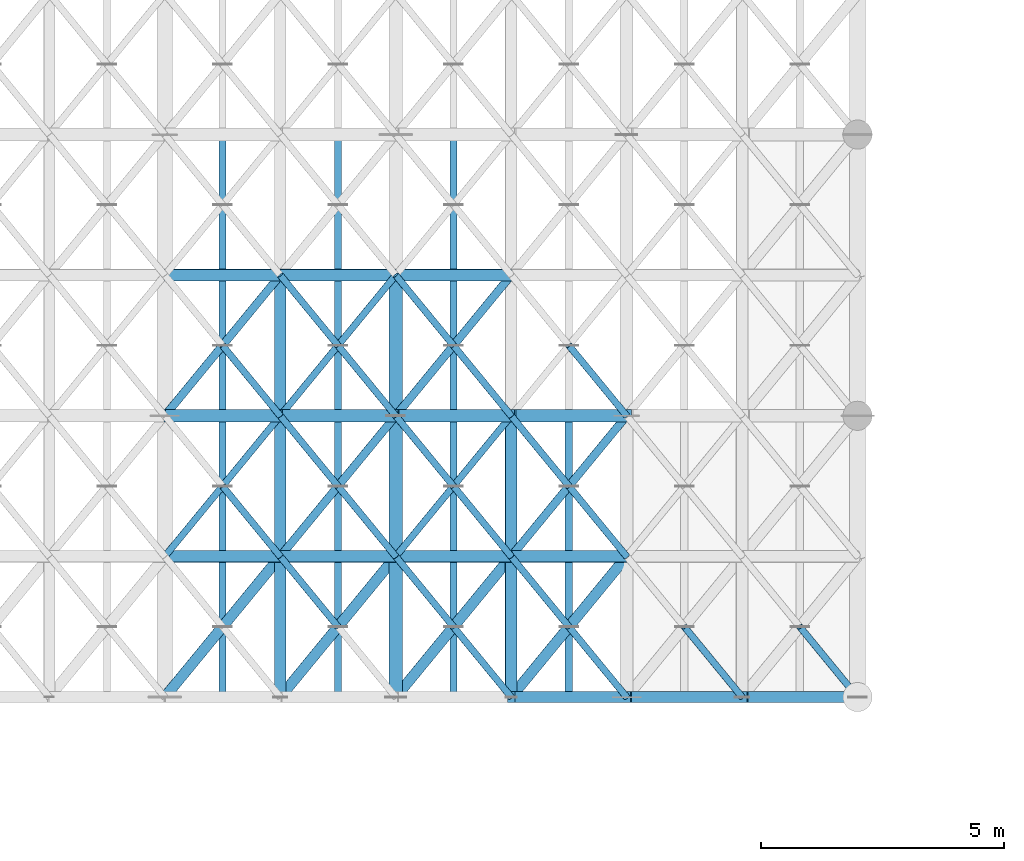
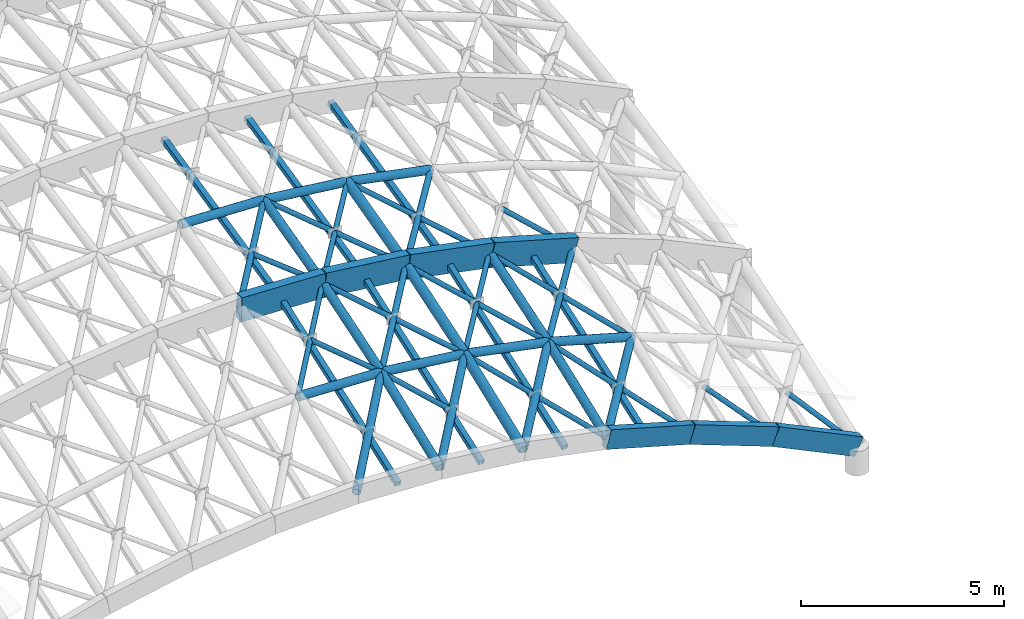
# One storey, part 36 of 146: 53 members, 7 beams.
"""IFC4 building model written with IfcOpenShell, lengths in metres."""

from ifc_helpers import new_model, si_unit, direction, frame, origin, origin_2d, place, context, subcontext, project, spatial, rectangle, hollow_rectangle, hollow_circle, extrude, material, material_profile, profile_set, type_object, element, save


model = new_model("IFC4")

# Units and contexts
model_context = context("Model", 3, precision=1e-05, world=origin(), true_north=direction((0.0, 1.0)))
body_context = subcontext(model_context, "Body", "Model", "MODEL_VIEW")
ifc_project = project(units=[si_unit("LENGTHUNIT", "METRE"), si_unit("AREAUNIT", "SQUARE_METRE"), si_unit("VOLUMEUNIT", "CUBIC_METRE"), si_unit("PLANEANGLEUNIT", "RADIAN"), si_unit("MASSUNIT", "GRAM", prefix="KILO")], contexts=[model_context])

# Site, building, storey
site_placement = place(None, origin())
site = spatial("IfcSite", under=ifc_project, at=site_placement, CompositionType="ELEMENT")
building_placement = place(site_placement, origin())
building = spatial("IfcBuilding", under=site, at=building_placement, Name="Valcora Specialist Clinic", CompositionType="ELEMENT")
storey_placement = place(building_placement, frame((0.0, 0.0, 9.52001953125)))
storey = spatial("IfcBuildingStorey", under=building, at=storey_placement, Name="L02", CompositionType="ELEMENT", Elevation=9.52001953125)

# Beams
ifc_material_1 = material(Name="Glulam Conifer Class 24F", Category="wood")
ifc_material_profile_1 = material_profile(ifc_material_1, rectangle(XDim=0.219970703125, YDim=0.56005859375, at=origin_2d()), Name="GL-ARC-220X560")
ifc_profile_set_1 = profile_set([ifc_material_profile_1], Name="Glulam Conifer Class 24F")
beam_type_1 = type_object("IfcBeamType", Name="TY-AR-GL560", PredefinedType="JOIST", material=ifc_profile_set_1)
beam_1_placement = place(storey_placement, frame((22.125, 38.75, 3.44580078125), z_axis=(0.961613421173, 0.0, -0.274407777259), x_axis=(0.0, 1.0, 0.0)))
element("IfcBeam", 1, at=beam_1_placement, inside=storey, type_object=beam_type_1, Name="Gridshell glulam arch chord BM-GSA-010", PredefinedType="JOIST", context=body_context, shape_type="SweptSolid", body=[
    extrude(rectangle(XDim=0.219970703125, YDim=0.56005859375, at=origin_2d()), origin(), (0.0, 0.0, 1.0), 2.4697265625),
])
beam_2_placement = place(storey_placement, frame((24.5, 38.75, 2.76806640625), z_axis=(0.935695204238, 0.0, -0.352809417059), x_axis=(0.0, 1.0, 0.0)))
element("IfcBeam", 2, at=beam_2_placement, inside=storey, type_object=beam_type_1, Name="Gridshell glulam arch chord BM-GSA-011", PredefinedType="JOIST", context=body_context, shape_type="SweptSolid", body=[
    extrude(rectangle(XDim=0.219970703125, YDim=0.56005859375, at=origin_2d()), origin(), (0.0, 0.0, 1.0), 2.538330078125),
])
beam_3_placement = place(storey_placement, frame((26.875, 38.75, 1.87255859375), z_axis=(0.902189145818, 0.0, -0.431340637048), x_axis=(0.0, 1.0, 0.0)))
element("IfcBeam", 3, at=beam_3_placement, inside=storey, type_object=beam_type_1, Name="Gridshell glulam arch chord BM-GSA-012", PredefinedType="JOIST", context=body_context, shape_type="SweptSolid", body=[
    extrude(rectangle(XDim=0.219970703125, YDim=0.56005859375, at=origin_2d()), origin(), (0.0, 0.0, 1.0), 2.632568359375),
])
ifc_material_profile_2 = material_profile(ifc_material_1, rectangle(XDim=0.260009765625, YDim=0.719970703125, at=origin_2d()), Name="GL-ARC-260X720")
ifc_profile_set_2 = profile_set([ifc_material_profile_2], Name="Glulam Conifer Class 24F")
beam_type_2 = type_object("IfcBeamType", Name="TY-AR-GL720", PredefinedType="JOIST", material=ifc_profile_set_2)
beam_4_placement = place(storey_placement, frame((15.0, 44.535888671875, 6.347900390625), z_axis=(0.999229898969, 0.0, -0.039237851707), x_axis=(0.0, 1.0, 0.0)))
element("IfcBeam", 4, at=beam_4_placement, inside=storey, type_object=beam_type_2, Name="Gridshell glulam arch chord BM-GSA-019", PredefinedType="JOIST", context=body_context, shape_type="SweptSolid", body=[
    extrude(rectangle(XDim=0.260009765625, YDim=0.719970703125, at=origin_2d()), origin(), (0.0, 0.0, 1.0), 2.376708984375),
])
beam_5_placement = place(storey_placement, frame((17.375, 44.535888671875, 6.254638671875), z_axis=(0.993061123194, 0.0, -0.117599343536), x_axis=(0.0, 1.0, 0.0)))
element("IfcBeam", 5, at=beam_5_placement, inside=storey, type_object=beam_type_2, Name="Gridshell glulam arch chord BM-GSA-020", PredefinedType="JOIST", context=body_context, shape_type="SweptSolid", body=[
    extrude(rectangle(XDim=0.260009765625, YDim=0.719970703125, at=origin_2d()), origin(), (0.0, 0.0, 1.0), 2.3916015625),
])
beam_6_placement = place(storey_placement, frame((19.75, 44.535888671875, 5.973388671875), z_axis=(0.980611679738, 0.0, -0.195961051132), x_axis=(0.0, 1.0, 0.0)))
element("IfcBeam", 6, at=beam_6_placement, inside=storey, type_object=beam_type_2, Name="Gridshell glulam arch chord BM-GSA-021", PredefinedType="JOIST", context=body_context, shape_type="SweptSolid", body=[
    extrude(rectangle(XDim=0.260009765625, YDim=0.719970703125, at=origin_2d()), origin(), (0.0, 0.0, 1.0), 2.421875),
])
beam_7_placement = place(storey_placement, frame((22.125, 44.535888671875, 5.498779296875), z_axis=(0.961613421173, 0.0, -0.274407777259), x_axis=(0.0, 1.0, 0.0)))
element("IfcBeam", 7, at=beam_7_placement, inside=storey, type_object=beam_type_2, Name="Gridshell glulam arch chord BM-GSA-022", PredefinedType="JOIST", context=body_context, shape_type="SweptSolid", body=[
    extrude(rectangle(XDim=0.260009765625, YDim=0.719970703125, at=origin_2d()), origin(), (0.0, 0.0, 1.0), 2.4697265625),
])

# Members
ifc_material_2 = material(Name="Steel ASTM A500 Grade C", Category="steel")
ifc_material_profile_3 = material_profile(ifc_material_2, hollow_circle(Radius=0.1220703125, WallThickness=0.010009765625, at=origin_2d()), Name="ST-CHS-244X10")
ifc_profile_set_3 = profile_set([ifc_material_profile_3], Name="Steel ASTM A500 Grade C")
member_type_1 = type_object("IfcMemberType", Name="TY-MB-GSC244", PredefinedType="CHORD", material=ifc_profile_set_3)
member_1_placement = place(storey_placement, frame((17.375, 38.75, 4.201904296875), z_axis=(0.0, 0.93227902247, 0.361739995386), x_axis=(-1.0, 0.0, 0.0)))
element("IfcMember", 8, at=member_1_placement, inside=storey, type_object=member_type_1, Name="Gridshell longitudinal chord MB-L02-0099", PredefinedType="CHORD", context=body_context, shape_type="SweptSolid", body=[
    extrude(hollow_circle(Radius=0.1220703125, WallThickness=0.010009765625, at=origin_2d()), origin(), (0.0, 0.0, 1.0), 3.103271484375),
])
member_2_placement = place(storey_placement, frame((17.375, 41.64306640625, 5.324462890625), z_axis=(0.0, 0.95199595387, 0.30611060716), x_axis=(-1.0, 0.0, 0.0)))
element("IfcMember", 9, at=member_2_placement, inside=storey, type_object=member_type_1, Name="Gridshell longitudinal chord MB-L02-0100", PredefinedType="CHORD", context=body_context, shape_type="SweptSolid", body=[
    extrude(hollow_circle(Radius=0.1220703125, WallThickness=0.010009765625, at=origin_2d()), origin(), (0.0, 0.0, 1.0), 3.03857421875),
])
member_3_placement = place(storey_placement, frame((17.375, 44.535888671875, 6.254638671875), z_axis=(0.0, 0.968120272933, 0.250485802263), x_axis=(-1.0, 0.0, 0.0)))
element("IfcMember", 10, at=member_3_placement, inside=storey, type_object=member_type_1, Name="Gridshell longitudinal chord MB-L02-0101", PredefinedType="CHORD", context=body_context, shape_type="SweptSolid", body=[
    extrude(hollow_circle(Radius=0.1220703125, WallThickness=0.010009765625, at=origin_2d()), origin(), (0.0, 0.0, 1.0), 2.98828125),
])
member_4_placement = place(storey_placement, frame((22.125, 38.75, 3.44580078125), z_axis=(0.0, 0.93227902247, 0.361739995386), x_axis=(-1.0, 0.0, 0.0)))
element("IfcMember", 11, at=member_4_placement, inside=storey, type_object=member_type_1, Name="Gridshell longitudinal chord MB-L02-0127", PredefinedType="CHORD", context=body_context, shape_type="SweptSolid", body=[
    extrude(hollow_circle(Radius=0.1220703125, WallThickness=0.010009765625, at=origin_2d()), origin(), (0.0, 0.0, 1.0), 3.103271484375),
])
member_5_placement = place(storey_placement, frame((22.125, 41.64306640625, 4.568359375), z_axis=(0.0, 0.951972538131, 0.306183419936), x_axis=(-1.0, 0.0, 0.0)))
element("IfcMember", 12, at=member_5_placement, inside=storey, type_object=member_type_1, Name="Gridshell longitudinal chord MB-L02-0128", PredefinedType="CHORD", context=body_context, shape_type="SweptSolid", body=[
    extrude(hollow_circle(Radius=0.1220703125, WallThickness=0.010009765625, at=origin_2d()), origin(), (0.0, 0.0, 1.0), 3.038818359375),
])
member_6_placement = place(storey_placement, frame((15.0, 41.64306640625, 5.417724609375), z_axis=(0.999229898969, 0.0, -0.039237851707), x_axis=(0.0, 1.0, 0.0)))
element("IfcMember", 13, at=member_6_placement, inside=storey, type_object=member_type_1, Name="Gridshell secondary transverse chord MB-L02-0273", PredefinedType="CHORD", context=body_context, shape_type="SweptSolid", body=[
    extrude(hollow_circle(Radius=0.1220703125, WallThickness=0.010009765625, at=origin_2d()), origin(), (0.0, 0.0, 1.0), 2.376708984375),
])
member_7_placement = place(storey_placement, frame((17.375, 41.64306640625, 5.324462890625), z_axis=(0.993061123194, 0.0, -0.117599343536), x_axis=(0.0, 1.0, 0.0)))
element("IfcMember", 14, at=member_7_placement, inside=storey, type_object=member_type_1, Name="Gridshell secondary transverse chord MB-L02-0274", PredefinedType="CHORD", context=body_context, shape_type="SweptSolid", body=[
    extrude(hollow_circle(Radius=0.1220703125, WallThickness=0.010009765625, at=origin_2d()), origin(), (0.0, 0.0, 1.0), 2.3916015625),
])
member_8_placement = place(storey_placement, frame((19.75, 41.64306640625, 5.043212890625), z_axis=(0.980592304853, 0.0, -0.19605798036), x_axis=(0.0, 1.0, 0.0)))
element("IfcMember", 15, at=member_8_placement, inside=storey, type_object=member_type_1, Name="Gridshell secondary transverse chord MB-L02-0275", PredefinedType="CHORD", context=body_context, shape_type="SweptSolid", body=[
    extrude(hollow_circle(Radius=0.1220703125, WallThickness=0.010009765625, at=origin_2d()), origin(), (0.0, 0.0, 1.0), 2.422119140625),
])
member_9_placement = place(storey_placement, frame((22.125, 41.64306640625, 4.568359375), z_axis=(0.961613421173, 0.0, -0.274407777259), x_axis=(0.0, 1.0, 0.0)))
element("IfcMember", 16, at=member_9_placement, inside=storey, type_object=member_type_1, Name="Gridshell secondary transverse chord MB-L02-0276", PredefinedType="CHORD", context=body_context, shape_type="SweptSolid", body=[
    extrude(hollow_circle(Radius=0.1220703125, WallThickness=0.010009765625, at=origin_2d()), origin(), (0.0, 0.0, 1.0), 2.4697265625),
])
member_10_placement = place(storey_placement, frame((15.0, 47.428955078125, 7.09619140625), z_axis=(0.999233921008, 0.0, -0.039135292342), x_axis=(0.0, 1.0, 0.0)))
element("IfcMember", 17, at=member_10_placement, inside=storey, type_object=member_type_1, Name="Gridshell secondary transverse chord MB-L02-0285", PredefinedType="CHORD", context=body_context, shape_type="SweptSolid", body=[
    extrude(hollow_circle(Radius=0.1220703125, WallThickness=0.010009765625, at=origin_2d()), origin(), (0.0, 0.0, 1.0), 2.376708984375),
])
member_11_placement = place(storey_placement, frame((17.375, 47.428955078125, 7.003173828125), z_axis=(0.993049196669, 0.0, -0.117700012722), x_axis=(0.0, 1.0, 0.0)))
element("IfcMember", 18, at=member_11_placement, inside=storey, type_object=member_type_1, Name="Gridshell secondary transverse chord MB-L02-0286", PredefinedType="CHORD", context=body_context, shape_type="SweptSolid", body=[
    extrude(hollow_circle(Radius=0.1220703125, WallThickness=0.010009765625, at=origin_2d()), origin(), (0.0, 0.0, 1.0), 2.3916015625),
])
member_12_placement = place(storey_placement, frame((19.75, 47.428955078125, 6.7216796875), z_axis=(0.980611679738, 0.0, -0.195961051132), x_axis=(0.0, 1.0, 0.0)))
element("IfcMember", 19, at=member_12_placement, inside=storey, type_object=member_type_1, Name="Gridshell secondary transverse chord MB-L02-0287", PredefinedType="CHORD", context=body_context, shape_type="SweptSolid", body=[
    extrude(hollow_circle(Radius=0.1220703125, WallThickness=0.010009765625, at=origin_2d()), origin(), (0.0, 0.0, 1.0), 2.421875),
])
ifc_material_profile_4 = material_profile(ifc_material_2, hollow_circle(Radius=0.136474609375, WallThickness=0.011962890625, at=origin_2d()), Name="ST-CHS-273X12")
ifc_profile_set_4 = profile_set([ifc_material_profile_4], Name="Steel ASTM A500 Grade C")
member_type_2 = type_object("IfcMemberType", Name="TY-MB-GSC273", PredefinedType="CHORD", material=ifc_profile_set_4)
member_13_placement = place(storey_placement, frame((19.75, 38.75, 3.920654296875), z_axis=(0.0, 0.93227902247, 0.361739995386), x_axis=(-1.0, 0.0, 0.0)))
element("IfcMember", 20, at=member_13_placement, inside=storey, type_object=member_type_2, Name="Gridshell longitudinal chord MB-L02-0113", PredefinedType="CHORD", context=body_context, shape_type="SweptSolid", body=[
    extrude(hollow_circle(Radius=0.136474609375, WallThickness=0.011962890625, at=origin_2d()), origin(), (0.0, 0.0, 1.0), 3.103271484375),
])
member_14_placement = place(storey_placement, frame((19.75, 41.64306640625, 5.043212890625), z_axis=(0.0, 0.95199595387, 0.30611060716), x_axis=(-1.0, 0.0, 0.0)))
element("IfcMember", 21, at=member_14_placement, inside=storey, type_object=member_type_2, Name="Gridshell longitudinal chord MB-L02-0114", PredefinedType="CHORD", context=body_context, shape_type="SweptSolid", body=[
    extrude(hollow_circle(Radius=0.136474609375, WallThickness=0.011962890625, at=origin_2d()), origin(), (0.0, 0.0, 1.0), 3.03857421875),
])
member_15_placement = place(storey_placement, frame((19.75, 44.535888671875, 5.973388671875), z_axis=(0.0, 0.968140082086, 0.250409227983), x_axis=(-1.0, 0.0, 0.0)))
element("IfcMember", 22, at=member_15_placement, inside=storey, type_object=member_type_2, Name="Gridshell longitudinal chord MB-L02-0115", PredefinedType="CHORD", context=body_context, shape_type="SweptSolid", body=[
    extrude(hollow_circle(Radius=0.136474609375, WallThickness=0.011962890625, at=origin_2d()), origin(), (0.0, 0.0, 1.0), 2.98828125),
])
ifc_material_profile_5 = material_profile(ifc_material_2, hollow_circle(Radius=0.070068359375, WallThickness=0.006103515625, at=origin_2d()), Name="ST-CHS-140X6")
ifc_profile_set_5 = profile_set([ifc_material_profile_5], Name="Steel ASTM A500 Grade C")
member_type_3 = type_object("IfcMemberType", Name="TY-MB-GSD140", PredefinedType="BRACE", material=ifc_profile_set_5)
member_16_placement = place(storey_placement, frame((15.0, 41.64306640625, 5.417724609375), z_axis=(0.619248680126, 0.754263734664, 0.218213864666), x_axis=(-0.772889622479, 0.634540488436, 0.0)))
element("IfcMember", 23, at=member_16_placement, inside=storey, type_object=member_type_3, Name="Gridshell primary diagrid MB-L02-0521", PredefinedType="BRACE", context=body_context, shape_type="SweptSolid", body=[
    extrude(hollow_circle(Radius=0.070068359375, WallThickness=0.006103515625, at=origin_2d()), origin(), (0.0, 0.0, 1.0), 3.835205078125),
])
member_17_placement = place(storey_placement, frame((17.375, 41.64306640625, 5.324462890625), z_axis=(-0.612042613982, 0.745549442402, 0.263742047472), x_axis=(-0.772915884105, -0.634508499626, 0.0)))
element("IfcMember", 24, at=member_17_placement, inside=storey, type_object=member_type_3, Name="Gridshell split counter diagrid A MB-L02-0522", PredefinedType="BRACE", context=body_context, shape_type="SweptSolid", body=[
    extrude(hollow_circle(Radius=0.070068359375, WallThickness=0.006103515625, at=origin_2d()), origin(), (0.0, 0.0, 1.0), 1.940185546875),
])
member_18_placement = place(storey_placement, frame((17.375, 44.535888671875, 6.254638671875), z_axis=(-0.619046507827, 0.75408111819, 0.219415332955), x_axis=(-0.772915884105, -0.634508499626, 0.0)))
element("IfcMember", 25, at=member_18_placement, inside=storey, type_object=member_type_3, Name="Gridshell split counter diagrid A MB-L02-0524", PredefinedType="BRACE", context=body_context, shape_type="SweptSolid", body=[
    extrude(hollow_circle(Radius=0.070068359375, WallThickness=0.006103515625, at=origin_2d()), origin(), (0.0, 0.0, 1.0), 1.918212890625),
])
member_19_placement = place(storey_placement, frame((19.75, 41.64306640625, 5.043212890625), z_axis=(-0.603678965081, 0.735361403805, 0.307920952378), x_axis=(-0.772915884105, -0.634508499626, 0.0)))
element("IfcMember", 26, at=member_19_placement, inside=storey, type_object=member_type_3, Name="Gridshell split counter diagrid A MB-L02-0550", PredefinedType="BRACE", context=body_context, shape_type="SweptSolid", body=[
    extrude(hollow_circle(Radius=0.070068359375, WallThickness=0.006103515625, at=origin_2d()), origin(), (0.0, 0.0, 1.0), 1.967041015625),
])
member_20_placement = place(storey_placement, frame((17.375, 44.535888671875, 6.254638671875), z_axis=(0.629626138809, 0.766968518183, 0.123815255298), x_axis=(-0.772915884105, 0.634508499626, 0.0)))
element("IfcMember", 27, at=member_20_placement, inside=storey, type_object=member_type_3, Name="Gridshell primary diagrid MB-L02-0551", PredefinedType="BRACE", context=body_context, shape_type="SweptSolid", body=[
    extrude(hollow_circle(Radius=0.070068359375, WallThickness=0.006103515625, at=origin_2d()), origin(), (0.0, 0.0, 1.0), 3.77197265625),
])
member_21_placement = place(storey_placement, frame((19.75, 44.535888671875, 5.973388671875), z_axis=(-0.611777913095, 0.745227001457, 0.265263079506), x_axis=(-0.772915884105, -0.634508499626, 0.0)))
element("IfcMember", 28, at=member_21_placement, inside=storey, type_object=member_type_3, Name="Gridshell split counter diagrid A MB-L02-0552", PredefinedType="BRACE", context=body_context, shape_type="SweptSolid", body=[
    extrude(hollow_circle(Radius=0.070068359375, WallThickness=0.006103515625, at=origin_2d()), origin(), (0.0, 0.0, 1.0), 1.941162109375),
])
member_22_placement = place(storey_placement, frame((22.125, 38.75, 3.44580078125), z_axis=(-0.583599675134, 0.710902153611, 0.392465982188), x_axis=(-0.772915884105, -0.634508499626, 0.0)))
element("IfcMember", 29, at=member_22_placement, inside=storey, type_object=member_type_3, Name="Gridshell split counter diagrid A MB-L02-0576", PredefinedType="BRACE", context=body_context, shape_type="SweptSolid", body=[
    extrude(hollow_circle(Radius=0.070068359375, WallThickness=0.006103515625, at=origin_2d()), origin(), (0.0, 0.0, 1.0), 2.03466796875),
])
member_23_placement = place(storey_placement, frame((19.75, 41.64306640625, 5.043212890625), z_axis=(0.629891792334, 0.767227369178, 0.120824227436), x_axis=(-0.772889622479, 0.634540488436, 0.0)))
element("IfcMember", 30, at=member_23_placement, inside=storey, type_object=member_type_3, Name="Gridshell primary diagrid MB-L02-0577", PredefinedType="BRACE", context=body_context, shape_type="SweptSolid", body=[
    extrude(hollow_circle(Radius=0.070068359375, WallThickness=0.006103515625, at=origin_2d()), origin(), (0.0, 0.0, 1.0), 3.7705078125),
])
member_24_placement = place(storey_placement, frame((22.125, 41.64306640625, 4.568359375), z_axis=(-0.594023840073, 0.723600175253, 0.351480388925), x_axis=(-0.772915884105, -0.634508499626, 0.0)))
element("IfcMember", 31, at=member_24_placement, inside=storey, type_object=member_type_3, Name="Gridshell split counter diagrid A MB-L02-0578", PredefinedType="BRACE", context=body_context, shape_type="SweptSolid", body=[
    extrude(hollow_circle(Radius=0.070068359375, WallThickness=0.006103515625, at=origin_2d()), origin(), (0.0, 0.0, 1.0), 1.9990234375),
])
member_25_placement = place(storey_placement, frame((22.125, 44.535888671875, 5.498779296875), z_axis=(-0.603123362015, 0.734684605251, 0.310613491334), x_axis=(-0.772915884105, -0.634508499626, 0.0)))
element("IfcMember", 32, at=member_25_placement, inside=storey, type_object=member_type_3, Name="Gridshell split counter diagrid A MB-L02-0580", PredefinedType="BRACE", context=body_context, shape_type="SweptSolid", body=[
    extrude(hollow_circle(Radius=0.070068359375, WallThickness=0.006103515625, at=origin_2d()), origin(), (0.0, 0.0, 1.0), 1.968994140625),
])
member_26_placement = place(storey_placement, frame((24.5, 38.75, 2.76806640625), z_axis=(-0.571807725967, 0.696537988559, 0.433440601488), x_axis=(-0.772915884105, -0.634508499626, 0.0)))
element("IfcMember", 33, at=member_26_placement, inside=storey, type_object=member_type_3, Name="Gridshell split counter diagrid A MB-L02-0604", PredefinedType="BRACE", context=body_context, shape_type="SweptSolid", body=[
    extrude(hollow_circle(Radius=0.070068359375, WallThickness=0.006103515625, at=origin_2d()), origin(), (0.0, 0.0, 1.0), 2.07666015625),
])
member_27_placement = place(storey_placement, frame((24.5, 41.64306640625, 3.890625), z_axis=(-0.582993995805, 0.710164355498, 0.394695565005), x_axis=(-0.772915884105, -0.634508499626, 0.0)))
element("IfcMember", 34, at=member_27_placement, inside=storey, type_object=member_type_3, Name="Gridshell split counter diagrid A MB-L02-0606", PredefinedType="BRACE", context=body_context, shape_type="SweptSolid", body=[
    extrude(hollow_circle(Radius=0.070068359375, WallThickness=0.006103515625, at=origin_2d()), origin(), (0.0, 0.0, 1.0), 2.036865234375),
])
member_28_placement = place(storey_placement, frame((24.5, 44.535888671875, 4.821044921875), z_axis=(-0.592948016791, 0.722289679171, 0.355963858764), x_axis=(-0.772915884105, -0.634508499626, 0.0)))
element("IfcMember", 35, at=member_28_placement, inside=storey, type_object=member_type_3, Name="Gridshell split counter diagrid A MB-L02-0608", PredefinedType="BRACE", context=body_context, shape_type="SweptSolid", body=[
    extrude(hollow_circle(Radius=0.070068359375, WallThickness=0.006103515625, at=origin_2d()), origin(), (0.0, 0.0, 1.0), 2.002685546875),
])
member_29_placement = place(storey_placement, frame((26.875, 38.75, 1.87255859375), z_axis=(-0.558505905222, 0.680334598775, 0.474569265272), x_axis=(-0.772915884105, -0.634508499626, 0.0)))
element("IfcMember", 36, at=member_29_placement, inside=storey, type_object=member_type_3, Name="Gridshell split counter diagrid A MB-L02-0632", PredefinedType="BRACE", context=body_context, shape_type="SweptSolid", body=[
    extrude(hollow_circle(Radius=0.070068359375, WallThickness=0.006103515625, at=origin_2d()), origin(), (0.0, 0.0, 1.0), 2.126220703125),
])
member_30_placement = place(storey_placement, frame((29.25, 38.75, 0.737060546875), z_axis=(-0.543286539611, 0.66179538388, 0.516591333409), x_axis=(-0.772915884105, -0.634508499626, 0.0)))
element("IfcMember", 37, at=member_30_placement, inside=storey, type_object=member_type_3, Name="Gridshell split counter diagrid A MB-L02-0660", PredefinedType="BRACE", context=body_context, shape_type="SweptSolid", body=[
    extrude(hollow_circle(Radius=0.070068359375, WallThickness=0.006103515625, at=origin_2d()), origin(), (0.0, 0.0, 1.0), 2.185791015625),
])
member_31_placement = place(storey_placement, frame((18.5625, 40.196533203125, 4.62255859375), z_axis=(-0.594100310582, 0.723693326521, 0.351159209071), x_axis=(-0.772915884105, -0.634508499626, 0.0)))
element("IfcMember", 38, at=member_31_placement, inside=storey, type_object=member_type_3, Name="Gridshell split counter diagrid B 99", PredefinedType="BRACE", context=body_context, shape_type="SweptSolid", body=[
    extrude(hollow_circle(Radius=0.070068359375, WallThickness=0.006103515625, at=origin_2d()), origin(), (0.0, 0.0, 1.0), 1.998779296875),
])
member_32_placement = place(storey_placement, frame((18.5625, 43.089599609375, 5.64892578125), z_axis=(-0.603734063883, 0.735304398529, 0.307949056845), x_axis=(-0.772863356881, -0.634572479384, 0.0)))
element("IfcMember", 39, at=member_32_placement, inside=storey, type_object=member_type_3, Name="Gridshell split counter diagrid B 100", PredefinedType="BRACE", context=body_context, shape_type="SweptSolid", body=[
    extrude(hollow_circle(Radius=0.070068359375, WallThickness=0.006103515625, at=origin_2d()), origin(), (0.0, 0.0, 1.0), 1.967041015625),
])
member_33_placement = place(storey_placement, frame((18.5625, 45.982421875, 6.48828125), z_axis=(-0.611777913095, 0.745227001457, 0.265263079506), x_axis=(-0.772915884105, -0.634508499626, 0.0)))
element("IfcMember", 40, at=member_33_placement, inside=storey, type_object=member_type_3, Name="Gridshell split counter diagrid B 101", PredefinedType="BRACE", context=body_context, shape_type="SweptSolid", body=[
    extrude(hollow_circle(Radius=0.070068359375, WallThickness=0.006103515625, at=origin_2d()), origin(), (0.0, 0.0, 1.0), 1.941162109375),
])
member_34_placement = place(storey_placement, frame((20.9375, 40.196533203125, 4.244384765625), z_axis=(-0.583572191494, 0.710868674878, 0.392567477502), x_axis=(-0.772915884105, -0.634508499626, 0.0)))
element("IfcMember", 41, at=member_34_placement, inside=storey, type_object=member_type_3, Name="Gridshell split counter diagrid B 113", PredefinedType="BRACE", context=body_context, shape_type="SweptSolid", body=[
    extrude(hollow_circle(Radius=0.070068359375, WallThickness=0.006103515625, at=origin_2d()), origin(), (0.0, 0.0, 1.0), 2.034912109375),
])
member_35_placement = place(storey_placement, frame((20.9375, 43.089599609375, 5.27099609375), z_axis=(-0.594101839496, 0.723573046294, 0.351404398073), x_axis=(-0.772863356881, -0.634572479384, 0.0)))
element("IfcMember", 42, at=member_35_placement, inside=storey, type_object=member_type_3, Name="Gridshell split counter diagrid B 114", PredefinedType="BRACE", context=body_context, shape_type="SweptSolid", body=[
    extrude(hollow_circle(Radius=0.070068359375, WallThickness=0.006103515625, at=origin_2d()), origin(), (0.0, 0.0, 1.0), 1.998779296875),
])
member_36_placement = place(storey_placement, frame((20.9375, 45.982421875, 6.1103515625), z_axis=(-0.603146588177, 0.73471289781, 0.310501450821), x_axis=(-0.772915884105, -0.634508499626, 0.0)))
element("IfcMember", 43, at=member_36_placement, inside=storey, type_object=member_type_3, Name="Gridshell split counter diagrid B 115", PredefinedType="BRACE", context=body_context, shape_type="SweptSolid", body=[
    extrude(hollow_circle(Radius=0.070068359375, WallThickness=0.006103515625, at=origin_2d()), origin(), (0.0, 0.0, 1.0), 1.96875),
])
member_37_placement = place(storey_placement, frame((23.3125, 40.196533203125, 3.668212890625), z_axis=(-0.571807725967, 0.696537988559, 0.433440601488), x_axis=(-0.772915884105, -0.634508499626, 0.0)))
element("IfcMember", 44, at=member_37_placement, inside=storey, type_object=member_type_3, Name="Gridshell split counter diagrid B 127", PredefinedType="BRACE", context=body_context, shape_type="SweptSolid", body=[
    extrude(hollow_circle(Radius=0.070068359375, WallThickness=0.006103515625, at=origin_2d()), origin(), (0.0, 0.0, 1.0), 2.07666015625),
])
member_38_placement = place(storey_placement, frame((23.3125, 43.089599609375, 4.694580078125), z_axis=(-0.583016032709, 0.71007133589, 0.394830347809), x_axis=(-0.772863356881, -0.634572479384, 0.0)))
element("IfcMember", 45, at=member_38_placement, inside=storey, type_object=member_type_3, Name="Gridshell split counter diagrid B 128", PredefinedType="BRACE", context=body_context, shape_type="SweptSolid", body=[
    extrude(hollow_circle(Radius=0.070068359375, WallThickness=0.006103515625, at=origin_2d()), origin(), (0.0, 0.0, 1.0), 2.036865234375),
])
ifc_material_profile_6 = material_profile(ifc_material_2, hollow_circle(Radius=0.083984375, WallThickness=0.008056640625, at=origin_2d()), Name="ST-CHS-168X8")
ifc_profile_set_6 = profile_set([ifc_material_profile_6], Name="Steel ASTM A500 Grade C")
member_type_4 = type_object("IfcMemberType", Name="TY-MB-GSD168", PredefinedType="BRACE", material=ifc_profile_set_6)
member_39_placement = place(storey_placement, frame((15.0, 44.535888671875, 6.347900390625), z_axis=(0.625003429978, 0.761337442973, 0.172441324636), x_axis=(-0.772915884105, 0.634508499626, 0.0)))
element("IfcMember", 46, at=member_39_placement, inside=storey, type_object=member_type_4, Name="Gridshell primary diagrid MB-L02-0523", PredefinedType="BRACE", context=body_context, shape_type="SweptSolid", body=[
    extrude(hollow_circle(Radius=0.083984375, WallThickness=0.008056640625, at=origin_2d()), origin(), (0.0, 0.0, 1.0), 3.800048828125),
])
member_40_placement = place(storey_placement, frame((17.375, 41.64306640625, 5.324462890625), z_axis=(0.625213268519, 0.761528784815, 0.170828214199), x_axis=(-0.772889622479, 0.634540488436, 0.0)))
element("IfcMember", 47, at=member_40_placement, inside=storey, type_object=member_type_4, Name="Gridshell primary diagrid MB-L02-0549", PredefinedType="BRACE", context=body_context, shape_type="SweptSolid", body=[
    extrude(hollow_circle(Radius=0.083984375, WallThickness=0.008056640625, at=origin_2d()), origin(), (0.0, 0.0, 1.0), 3.798583984375),
])
member_41_placement = place(storey_placement, frame((19.75, 44.535888671875, 5.973388671875), z_axis=(0.632819189652, 0.7708580795, 0.072922523808), x_axis=(-0.772915884105, 0.634508499626, 0.0)))
element("IfcMember", 48, at=member_41_placement, inside=storey, type_object=member_type_4, Name="Gridshell primary diagrid MB-L02-0579", PredefinedType="BRACE", context=body_context, shape_type="SweptSolid", body=[
    extrude(hollow_circle(Radius=0.083984375, WallThickness=0.008056640625, at=origin_2d()), origin(), (0.0, 0.0, 1.0), 3.7529296875),
])
member_42_placement = place(storey_placement, frame((22.125, 41.64306640625, 4.568359375), z_axis=(0.633099368494, 0.771134294541, 0.067357920065), x_axis=(-0.772889622479, 0.634540488436, 0.0)))
element("IfcMember", 49, at=member_42_placement, inside=storey, type_object=member_type_4, Name="Gridshell primary diagrid MB-L02-0605", PredefinedType="BRACE", context=body_context, shape_type="SweptSolid", body=[
    extrude(hollow_circle(Radius=0.083984375, WallThickness=0.008056640625, at=origin_2d()), origin(), (0.0, 0.0, 1.0), 3.75146484375),
])
ifc_material_profile_7 = material_profile(ifc_material_2, hollow_circle(Radius=0.109619140625, WallThickness=0.010009765625, at=origin_2d()), Name="ST-CHS-219X10")
ifc_profile_set_7 = profile_set([ifc_material_profile_7], Name="Steel ASTM A500 Grade C")
member_type_5 = type_object("IfcMemberType", Name="TY-MB-GSD219", PredefinedType="BRACE", material=ifc_profile_set_7)
member_43_placement = place(storey_placement, frame((15.0, 38.75, 4.295166015625), z_axis=(0.611798320584, 0.745251860498, 0.265146147161), x_axis=(-0.772915884105, 0.634508499626, 0.0)))
element("IfcMember", 50, at=member_43_placement, inside=storey, type_object=member_type_5, Name="Gridshell primary diagrid MB-L02-0519", PredefinedType="BRACE", context=body_context, shape_type="SweptSolid", body=[
    extrude(hollow_circle(Radius=0.109619140625, WallThickness=0.010009765625, at=origin_2d()), origin(), (0.0, 0.0, 1.0), 3.882080078125),
])
member_44_placement = place(storey_placement, frame((17.375, 38.75, 4.201904296875), z_axis=(0.619063790551, 0.75410217085, 0.219294184029), x_axis=(-0.772915884105, 0.634508499626, 0.0)))
element("IfcMember", 51, at=member_44_placement, inside=storey, type_object=member_type_5, Name="Gridshell primary diagrid MB-L02-0547", PredefinedType="BRACE", context=body_context, shape_type="SweptSolid", body=[
    extrude(hollow_circle(Radius=0.109619140625, WallThickness=0.010009765625, at=origin_2d()), origin(), (0.0, 0.0, 1.0), 3.83642578125),
])
member_45_placement = place(storey_placement, frame((19.75, 38.75, 3.920654296875), z_axis=(0.625216956337, 0.761597546525, 0.170507872652), x_axis=(-0.772915884105, 0.634508499626, 0.0)))
element("IfcMember", 52, at=member_45_placement, inside=storey, type_object=member_type_5, Name="Gridshell primary diagrid MB-L02-0575", PredefinedType="BRACE", context=body_context, shape_type="SweptSolid", body=[
    extrude(hollow_circle(Radius=0.109619140625, WallThickness=0.010009765625, at=origin_2d()), origin(), (0.0, 0.0, 1.0), 3.798583984375),
])
member_46_placement = place(storey_placement, frame((22.125, 38.75, 3.44580078125), z_axis=(0.630074850301, 0.76751510856, 0.118009496017), x_axis=(-0.772915884105, 0.634508499626, 0.0)))
element("IfcMember", 53, at=member_46_placement, inside=storey, type_object=member_type_5, Name="Gridshell primary diagrid MB-L02-0603", PredefinedType="BRACE", context=body_context, shape_type="SweptSolid", body=[
    extrude(hollow_circle(Radius=0.109619140625, WallThickness=0.010009765625, at=origin_2d()), origin(), (0.0, 0.0, 1.0), 3.769287109375),
])
ifc_material_profile_8 = material_profile(ifc_material_2, hollow_rectangle(XDim=0.14990234375, YDim=0.14990234375, WallThickness=0.006103515625, at=origin_2d()), Name="ST-RHS-150X150X6")
ifc_profile_set_8 = profile_set([ifc_material_profile_8], Name="Steel ASTM A500 Grade C")
member_type_6 = type_object("IfcMemberType", Name="TY-MB-PR150", PredefinedType="PURLIN", material=ifc_profile_set_8)
member_47_placement = place(storey_placement, frame((16.18798828125, 38.75, 4.12841796875), z_axis=(0.0, 0.942431788241, 0.33439845172), x_axis=(-1.0, 0.0, 0.0)))
element("IfcMember", 54, at=member_47_placement, inside=storey, type_object=member_type_6, Name="Gridshell secondary purlin MB-L02-0225", PredefinedType="PURLIN", context=body_context, shape_type="SweptSolid", body=[
    extrude(hollow_rectangle(XDim=0.14990234375, YDim=0.14990234375, WallThickness=0.006103515625, at=origin_2d()), origin(), (0.0, 0.0, 1.0), 6.139404296875),
])
member_48_placement = place(storey_placement, frame((16.18798828125, 44.535888671875, 6.181396484375), z_axis=(0.0, 0.974851612216, 0.222854962161), x_axis=(-1.0, 0.0, 0.0)))
element("IfcMember", 55, at=member_48_placement, inside=storey, type_object=member_type_6, Name="Gridshell secondary purlin MB-L02-0226", PredefinedType="PURLIN", context=body_context, shape_type="SweptSolid", body=[
    extrude(hollow_rectangle(XDim=0.14990234375, YDim=0.14990234375, WallThickness=0.006103515625, at=origin_2d()), origin(), (0.0, 0.0, 1.0), 5.934326171875),
])
member_49_placement = place(storey_placement, frame((18.56201171875, 38.75, 3.941162109375), z_axis=(0.0, 0.942431788241, 0.33439845172), x_axis=(-1.0, 0.0, 0.0)))
element("IfcMember", 56, at=member_49_placement, inside=storey, type_object=member_type_6, Name="Gridshell secondary purlin MB-L02-0232", PredefinedType="PURLIN", context=body_context, shape_type="SweptSolid", body=[
    extrude(hollow_rectangle(XDim=0.14990234375, YDim=0.14990234375, WallThickness=0.006103515625, at=origin_2d()), origin(), (0.0, 0.0, 1.0), 6.139404296875),
])
member_50_placement = place(storey_placement, frame((18.56201171875, 44.535888671875, 5.994140625), z_axis=(0.0, 0.974842673844, 0.22289405836), x_axis=(-1.0, 0.0, 0.0)))
element("IfcMember", 57, at=member_50_placement, inside=storey, type_object=member_type_6, Name="Gridshell secondary purlin MB-L02-0233", PredefinedType="PURLIN", context=body_context, shape_type="SweptSolid", body=[
    extrude(hollow_rectangle(XDim=0.14990234375, YDim=0.14990234375, WallThickness=0.006103515625, at=origin_2d()), origin(), (0.0, 0.0, 1.0), 5.9345703125),
])
member_51_placement = place(storey_placement, frame((20.93798828125, 38.75, 3.563232421875), z_axis=(0.0, 0.942444320141, 0.334363131092), x_axis=(-1.0, 0.0, 0.0)))
element("IfcMember", 58, at=member_51_placement, inside=storey, type_object=member_type_6, Name="Gridshell secondary purlin MB-L02-0239", PredefinedType="PURLIN", context=body_context, shape_type="SweptSolid", body=[
    extrude(hollow_rectangle(XDim=0.14990234375, YDim=0.14990234375, WallThickness=0.006103515625, at=origin_2d()), origin(), (0.0, 0.0, 1.0), 6.13916015625),
])
member_52_placement = place(storey_placement, frame((20.93798828125, 44.535888671875, 5.615966796875), z_axis=(0.0, 0.974842673844, 0.22289405836), x_axis=(-1.0, 0.0, 0.0)))
element("IfcMember", 59, at=member_52_placement, inside=storey, type_object=member_type_6, Name="Gridshell secondary purlin MB-L02-0240", PredefinedType="PURLIN", context=body_context, shape_type="SweptSolid", body=[
    extrude(hollow_rectangle(XDim=0.14990234375, YDim=0.14990234375, WallThickness=0.006103515625, at=origin_2d()), origin(), (0.0, 0.0, 1.0), 5.9345703125),
])
member_53_placement = place(storey_placement, frame((23.31201171875, 38.75, 2.987060546875), z_axis=(0.0, 0.942444320141, 0.334363131092), x_axis=(-1.0, 0.0, 0.0)))
element("IfcMember", 60, at=member_53_placement, inside=storey, type_object=member_type_6, Name="Gridshell secondary purlin MB-L02-0246", PredefinedType="PURLIN", context=body_context, shape_type="SweptSolid", body=[
    extrude(hollow_rectangle(XDim=0.14990234375, YDim=0.14990234375, WallThickness=0.006103515625, at=origin_2d()), origin(), (0.0, 0.0, 1.0), 6.13916015625),
])

save(model, "model.ifc")
